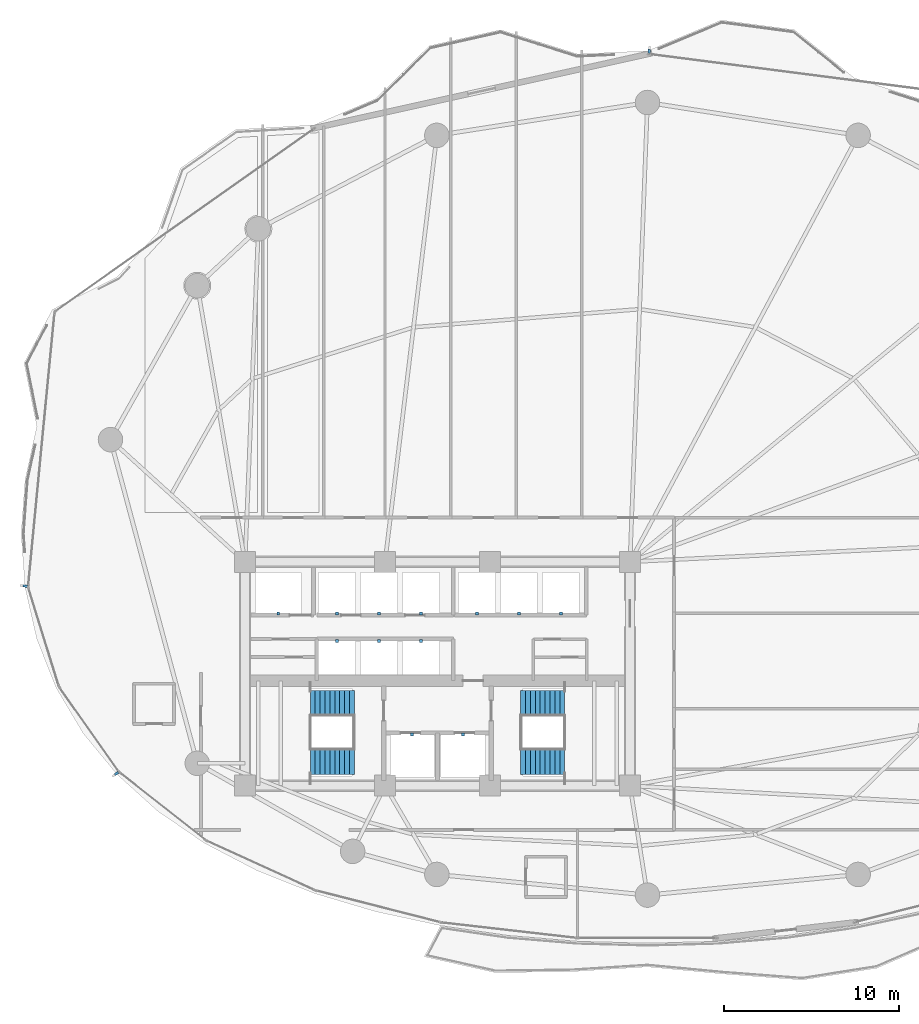
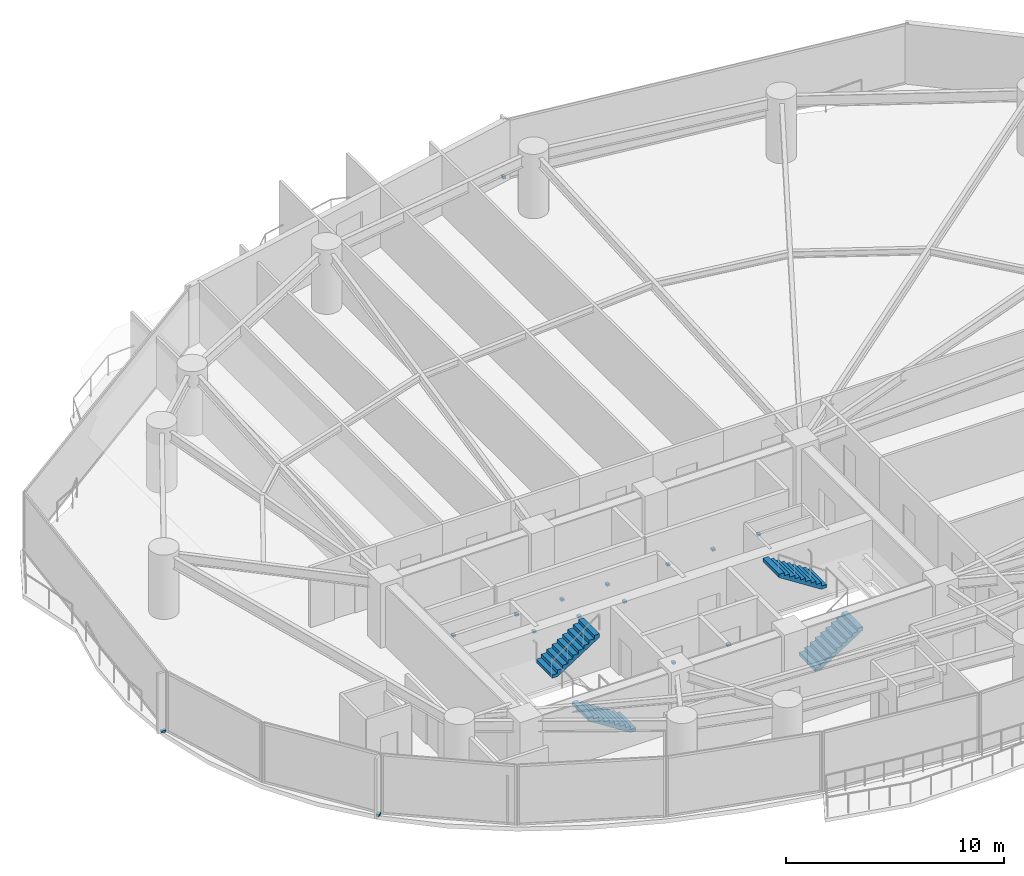
# One storey, part 27 of 31: 15 discrete accessories, 4 stair flights, 2 elements without a shape of their own.
"""IFC4 building model written with IfcOpenShell, lengths in metres."""

from ifc_helpers import new_model, si_unit, direction, frame, origin, origin_2d, place, context, subcontext, project, spatial, polyline, rectangle, outline, extrude, material, layer, layer_set, type_object, element, aggregate, save


model = new_model("IFC4")

# Units and contexts
model_context = context("Model", 3, precision=1e-05, world=origin(), true_north=direction((0.0, 1.0)))
body_context = subcontext(model_context, "Body", "Model", "MODEL_VIEW")
ifc_project = project(units=[si_unit("LENGTHUNIT", "METRE"), si_unit("AREAUNIT", "SQUARE_METRE"), si_unit("VOLUMEUNIT", "CUBIC_METRE"), si_unit("PLANEANGLEUNIT", "RADIAN"), si_unit("MASSUNIT", "GRAM", prefix="KILO")], contexts=[model_context])

# Site, building, storey
site_placement = place(None, origin())
site = spatial("IfcSite", under=ifc_project, at=site_placement, CompositionType="ELEMENT")
building_placement = place(site_placement, origin())
building = spatial("IfcBuilding", under=site, at=building_placement, Name="Kazevale Care Tower and Concert Hall", CompositionType="ELEMENT")
storey_placement = place(building_placement, frame((0.0, 0.0, 63.60009765625)))
storey = spatial("IfcBuildingStorey", under=building, at=storey_placement, Name="L16", CompositionType="ELEMENT", Elevation=63.60009765625)

# Stair, stair flights
ifc_material_1 = material(Name="Concrete C40", Category="concrete")
stair_type = type_object("IfcStairType", Name="Exit Stair Assembly ST1-Z1", PredefinedType="HALF_TURN_STAIR", material=ifc_material_1)
stair_1_placement = place(storey_placement, origin())
stair_1 = element("IfcStair", 1, at=stair_1_placement, inside=storey, type_object=stair_type, Name="stair:L16:ST1", PredefinedType="HALF_TURN_STAIR")
ifc_layer = layer(ifc_material_1, 0.159912109375)
ifc_layer_set = layer_set([ifc_layer], Name="Concrete C40")
stair_flight_type = type_object("IfcStairFlightType", Name="Exit Stair Flight ST1-Z1", PredefinedType="STRAIGHT", material=ifc_layer_set)
stair_flight_1_placement = place(storey_placement, frame((28.25, 24.989990234375, 0.0), z_axis=(0.0, 0.0, 1.0), x_axis=(-1.0, 0.0, 0.0)))
stair_flight_1 = element("IfcStairFlight", 2, at=stair_flight_1_placement, type_object=stair_flight_type, Name="ST1-Z1 flight 1", NumberOfRisers=10, NumberOfTreads=9, PredefinedType="STRAIGHT", RiserHeight=0.18, TreadLength=0.28, context=body_context, shape_type="SweptSolid", body=[
    extrude(outline(polyline([(0.0, 0.0), (0.0, 0.179931640625), (0.280029296875, 0.179931640625), (0.280029296875, 0.360107421875), (0.56005859375, 0.360107421875), (0.56005859375, 0.5400390625), (0.840087890625, 0.5400390625), (0.840087890625, 0.719970703125), (1.1201171875, 0.719970703125), (1.1201171875, 0.89990234375), (1.39990234375, 0.89990234375), (1.39990234375, 1.080078125), (1.679931640625, 1.080078125), (1.679931640625, 1.260009765625), (1.9599609375, 1.260009765625), (1.9599609375, 1.43994140625), (2.239990234375, 1.43994140625), (2.239990234375, 1.6201171875), (2.52001953125, 1.6201171875), (2.52001953125, 1.800048828125), (2.52001953125, 1.429931640625), (0.295654296875, 0.0), (0.0, 0.0)])), frame((0.0, 0.739990234375, 0.0), z_axis=(0.0, -1.0, 0.0), x_axis=(1.0, 0.0, 0.0)), (0.0, 0.0, 1.0), 1.47998046875),
])
stair_flight_2_placement = place(storey_placement, frame((25.72998046875, 28.31005859375, 1.7998046875), z_axis=(0.0, 0.0, 1.0), x_axis=(1.0, 0.0, 0.0)))
stair_flight_2 = element("IfcStairFlight", 3, at=stair_flight_2_placement, type_object=stair_flight_type, Name="ST1-Z1 flight 2", NumberOfRisers=10, NumberOfTreads=9, PredefinedType="STRAIGHT", RiserHeight=0.18, TreadLength=0.28, context=body_context, shape_type="SweptSolid", body=[
    extrude(outline(polyline([(0.0, 0.0), (0.0, 0.179931640625), (0.280029296875, 0.179931640625), (0.280029296875, 0.360107421875), (0.56005859375, 0.360107421875), (0.56005859375, 0.5400390625), (0.840087890625, 0.5400390625), (0.840087890625, 0.719970703125), (1.1201171875, 0.719970703125), (1.1201171875, 0.89990234375), (1.39990234375, 0.89990234375), (1.39990234375, 1.080078125), (1.679931640625, 1.080078125), (1.679931640625, 1.260009765625), (1.9599609375, 1.260009765625), (1.9599609375, 1.43994140625), (2.239990234375, 1.43994140625), (2.239990234375, 1.6201171875), (2.52001953125, 1.6201171875), (2.52001953125, 1.800048828125), (2.52001953125, 1.429931640625), (0.295654296875, 0.0), (0.0, 0.0)])), frame((0.0, 0.739990234375, 0.0), z_axis=(0.0, -1.0, 0.0), x_axis=(1.0, 0.0, 0.0)), (0.0, 0.0, 1.0), 1.47998046875),
])
aggregate(stair_1, [stair_flight_1, stair_flight_2])

stair_2_placement = place(storey_placement, origin())
stair_2 = element("IfcStair", 4, at=stair_2_placement, inside=storey, type_object=stair_type, Name="stair:L16:ST2", PredefinedType="HALF_TURN_STAIR")
stair_flight_3_placement = place(storey_placement, frame((37.75, 24.989990234375, 0.0), z_axis=(0.0, 0.0, 1.0), x_axis=(1.0, 0.0, 0.0)))
stair_flight_3 = element("IfcStairFlight", 5, at=stair_flight_3_placement, type_object=stair_flight_type, Name="ST1-Z1 flight 1", NumberOfRisers=10, NumberOfTreads=9, PredefinedType="STRAIGHT", RiserHeight=0.18, TreadLength=0.28, context=body_context, shape_type="SweptSolid", body=[
    extrude(outline(polyline([(0.0, 0.0), (0.0, 0.179931640625), (0.280029296875, 0.179931640625), (0.280029296875, 0.360107421875), (0.56005859375, 0.360107421875), (0.56005859375, 0.5400390625), (0.840087890625, 0.5400390625), (0.840087890625, 0.719970703125), (1.1201171875, 0.719970703125), (1.1201171875, 0.89990234375), (1.39990234375, 0.89990234375), (1.39990234375, 1.080078125), (1.679931640625, 1.080078125), (1.679931640625, 1.260009765625), (1.9599609375, 1.260009765625), (1.9599609375, 1.43994140625), (2.239990234375, 1.43994140625), (2.239990234375, 1.6201171875), (2.52001953125, 1.6201171875), (2.52001953125, 1.800048828125), (2.52001953125, 1.429931640625), (0.295654296875, 0.0), (0.0, 0.0)])), frame((0.0, 0.739990234375, 0.0), z_axis=(0.0, -1.0, 0.0), x_axis=(1.0, 0.0, 0.0)), (0.0, 0.0, 1.0), 1.47998046875),
])
stair_flight_4_placement = place(storey_placement, frame((40.27001953125, 28.31005859375, 1.7998046875), z_axis=(0.0, 0.0, 1.0), x_axis=(-1.0, 0.0, 0.0)))
stair_flight_4 = element("IfcStairFlight", 6, at=stair_flight_4_placement, type_object=stair_flight_type, Name="ST1-Z1 flight 2", NumberOfRisers=10, NumberOfTreads=9, PredefinedType="STRAIGHT", RiserHeight=0.18, TreadLength=0.28, context=body_context, shape_type="SweptSolid", body=[
    extrude(outline(polyline([(0.0, 0.0), (0.0, 0.179931640625), (0.280029296875, 0.179931640625), (0.280029296875, 0.360107421875), (0.56005859375, 0.360107421875), (0.56005859375, 0.5400390625), (0.840087890625, 0.5400390625), (0.840087890625, 0.719970703125), (1.1201171875, 0.719970703125), (1.1201171875, 0.89990234375), (1.39990234375, 0.89990234375), (1.39990234375, 1.080078125), (1.679931640625, 1.080078125), (1.679931640625, 1.260009765625), (1.9599609375, 1.260009765625), (1.9599609375, 1.43994140625), (2.239990234375, 1.43994140625), (2.239990234375, 1.6201171875), (2.52001953125, 1.6201171875), (2.52001953125, 1.800048828125), (2.52001953125, 1.429931640625), (0.295654296875, 0.0), (0.0, 0.0)])), frame((0.0, 0.739990234375, 0.0), z_axis=(0.0, -1.0, 0.0), x_axis=(1.0, 0.0, 0.0)), (0.0, 0.0, 1.0), 1.47998046875),
])
aggregate(stair_2, [stair_flight_3, stair_flight_4])

# Discrete accessories
ifc_material_2 = material(Name="Stainless Steel 316", Category="steel")
discrete_accessory_type_1 = type_object("IfcDiscreteAccessoryType", Name="Facade Fin Stainless Anchor Bracket BRK-1", PredefinedType="BRACKET", material=ifc_material_2)
for number, where, z_axis, x_axis, name in (
    (7, (14.656005859375, 24.298828125, -0.000244140625), (0.0, 0.0, 1.0), (-0.817547124842, -0.575861700985, 0.0), "cw:L16:f11:brk"),
    (8, (9.438720703125, 35.01416015625, -0.000244140625), (0.0, 0.0, 1.0), (-0.995379454967, 0.09601948047, 0.0), "cw:L16:f13:brk"),
    (9, (45.096923828125, 65.57080078125, -0.000244140625), (0.0, 0.0, 1.0), (0.128103248172, 0.991760837, 0.0), "cw:L16:f16:brk"),
):
    element("IfcDiscreteAccessory", number, at=place(storey_placement, frame(where, z_axis=z_axis, x_axis=x_axis)), inside=storey, type_object=discrete_accessory_type_1, Name=name, PredefinedType="BRACKET", context=body_context, shape_type="SweptSolid", body=[
        extrude(rectangle(XDim=0.239990234375, YDim=0.139892578125, at=origin_2d()), origin(), (0.0, 0.0, 1.0), 0.1201171875),
    ])
discrete_accessory_type_2 = type_object("IfcDiscreteAccessoryType", Name="Hoistway Guide-Rail Wall Bracket HBRK-1", PredefinedType="BRACKET", material=ifc_material_2)
for number, where, z_axis, x_axis, name in (
    (10, (31.550048828125, 26.52001953125, 1.23974609375), (0.0, 0.0, 1.0), (1.0, 0.0, 0.0), "hbrk:FFL-1:L16"),
    (11, (34.449951171875, 26.52001953125, 1.23974609375), (0.0, 0.0, 1.0), (1.0, 0.0, 0.0), "hbrk:FFL-2:L16"),
    (12, (23.89990234375, 33.449951171875, 1.23974609375), (0.0, 0.0, 1.0), (1.0, 0.0, 0.0), "hbrk:SVL-1:L16"),
    (13, (27.25, 33.449951171875, 1.23974609375), (0.0, 0.0, 1.0), (1.0, 0.0, 0.0), "hbrk:PL-1:L16"),
    (14, (29.64990234375, 33.449951171875, 1.23974609375), (0.0, 0.0, 1.0), (1.0, 0.0, 0.0), "hbrk:PL-2:L16"),
    (15, (32.050048828125, 33.449951171875, 1.23974609375), (0.0, 0.0, 1.0), (1.0, 0.0, 0.0), "hbrk:PL-3:L16"),
    (16, (35.25, 33.449951171875, 1.23974609375), (0.0, 0.0, 1.0), (1.0, 0.0, 0.0), "hbrk:PM-1:L16"),
    (17, (37.64990234375, 33.449951171875, 1.23974609375), (0.0, 0.0, 1.0), (1.0, 0.0, 0.0), "hbrk:PM-2:L16"),
    (18, (40.050048828125, 33.449951171875, 1.23974609375), (0.0, 0.0, 1.0), (1.0, 0.0, 0.0), "hbrk:PM-3:L16"),
    (19, (27.25, 31.8798828125, 1.23974609375), (0.0, 0.0, 1.0), (1.0, 0.0, 0.0), "hbrk:PH-1:L16"),
    (20, (29.64990234375, 31.8798828125, 1.23974609375), (0.0, 0.0, 1.0), (1.0, 0.0, 0.0), "hbrk:PH-2:L16"),
    (21, (32.050048828125, 31.8798828125, 1.23974609375), (0.0, 0.0, 1.0), (1.0, 0.0, 0.0), "hbrk:PH-3:L16"),
):
    element("IfcDiscreteAccessory", number, at=place(storey_placement, frame(where, z_axis=z_axis, x_axis=x_axis)), inside=storey, type_object=discrete_accessory_type_2, Name=name, PredefinedType="BRACKET", context=body_context, shape_type="SweptSolid", body=[
        extrude(rectangle(XDim=0.159912109375, YDim=0.179931640625, at=origin_2d()), origin(), (0.0, 0.0, 1.0), 0.1201171875),
    ])

save(model, "model.ifc")
